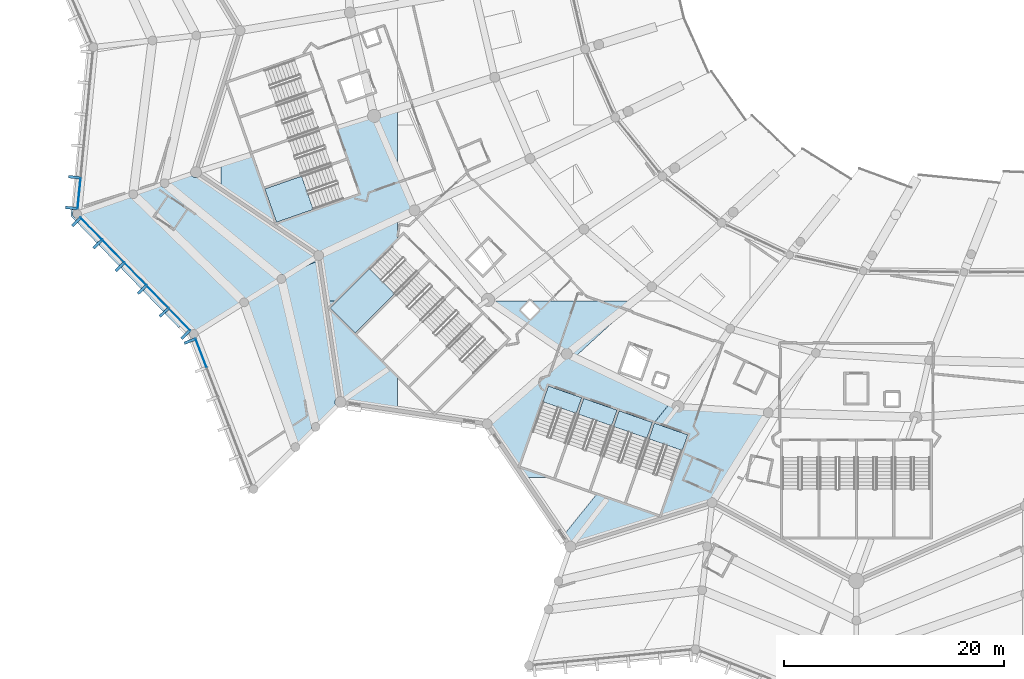
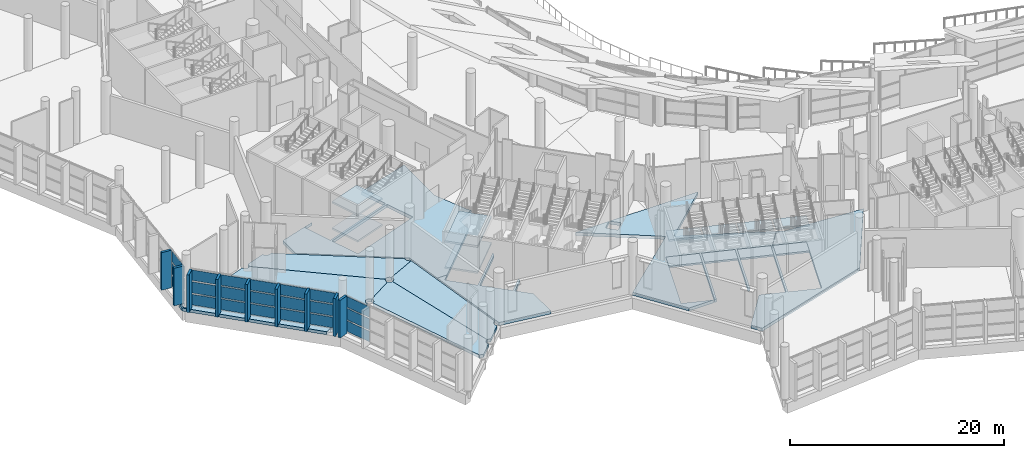
# One storey, part 97 of 249: 30 plates, 20 slabs, 9 elements without a shape of their own.
"""IFC4 building model written with IfcOpenShell, lengths in metres."""

import ifcopenshell
import ifcopenshell.guid

model = None  # the IFC model being written
_history = None  # IfcOwnerHistory: only IFC2X3 demands one
_inside = {}  # id of a spatial element -> (the spatial element, [elements in it])
_under = {}  # id of a project, library or spatial element -> (it, [spatial elements below it])
_declared = {}  # id of a project -> (the project, [libraries it declares])
_typed = {}  # id of a type object -> (the type object, [elements of that type])
_made_of = {}  # id of a material, layer set ... -> (it, [elements and type objects made of it])


def new_model(schema):
    """Start an empty IFC model of exactly this schema.

    Asked for "IFC4X3", IfcOpenShell would pick the latest addendum, in which some entities
    have other attributes; the version numbers below select the first issue.
    IFC2X3 requires an IfcOwnerHistory on every rooted entity: one is made here for all.
    """
    global model, _history
    if schema == "IFC4X3":
        model = ifcopenshell.file(schema_version=(4, 3, 0, 0))
    else:
        model = ifcopenshell.file(schema=schema)
    _inside.clear()
    _under.clear()
    _declared.clear()
    _typed.clear()
    _made_of.clear()
    _history = None
    if model.schema == "IFC2X3":
        org = make("IfcOrganization", Name="unknown")
        user = make(
            "IfcPersonAndOrganization",
            ThePerson=make("IfcPerson", FamilyName="unknown"),
            TheOrganization=org,
        )
        app = make(
            "IfcApplication",
            ApplicationDeveloper=org,
            Version="unknown",
            ApplicationFullName="unknown",
            ApplicationIdentifier="unknown",
        )
        _history = make(
            "IfcOwnerHistory",
            OwningUser=user,
            OwningApplication=app,
            ChangeAction="ADDED",
            CreationDate=0,
        )
    return model


def make(cls, **values):
    """One entity of the class cls with the attributes given. An attribute that is None is left unset."""
    return model.create_entity(
        cls, **{name: value for name, value in values.items() if value is not None}
    )


def rooted(cls, **values):
    """An entity with a GlobalId (a new one), such as an element, a storey or a relation."""
    return make(cls, GlobalId=ifcopenshell.guid.new(), OwnerHistory=_history, **values)


def si_unit(unit_type, name, prefix=None):
    """IfcSIUnit, for example si_unit("LENGTHUNIT", "METRE", prefix="MILLI")."""
    return make("IfcSIUnit", UnitType=unit_type, Prefix=prefix, Name=name)


def assignment(units):
    """IfcUnitAssignment: the units of a project."""
    return None if units is None else make("IfcUnitAssignment", Units=units)


def point(xyz):
    """IfcCartesianPoint."""
    return None if xyz is None else make("IfcCartesianPoint", Coordinates=xyz)


def direction(xyz):
    """IfcDirection."""
    return None if xyz is None else make("IfcDirection", DirectionRatios=xyz)


def frame(location, z_axis=None, x_axis=None):
    """IfcAxis2Placement3D, a coordinate frame: its origin and axes. An axis left out is left unset."""
    return make(
        "IfcAxis2Placement3D",
        Location=point(location),
        Axis=direction(z_axis),
        RefDirection=direction(x_axis),
    )


def frame_2d(location, x_axis=None):
    """IfcAxis2Placement2D, a coordinate frame in the plane: its origin and x axis."""
    return make(
        "IfcAxis2Placement2D", Location=point(location), RefDirection=direction(x_axis)
    )


def origin():
    """The frame at (0, 0, 0) with its axes left unset."""
    return frame((0.0, 0.0, 0.0))


def origin_2d():
    """The frame at (0, 0) in the plane with its x axis left unset."""
    return frame_2d((0.0, 0.0))


def place(relative_to, where):
    """IfcLocalPlacement: puts the frame where relative to a parent placement (None: the world)."""
    return make(
        "IfcLocalPlacement", PlacementRelTo=relative_to, RelativePlacement=where
    )


def context(
    kind, dimensions, precision=None, world=None, true_north=None, identifier=None
):
    """IfcGeometricRepresentationContext, for example the 3D "Model" context."""
    return make(
        "IfcGeometricRepresentationContext",
        ContextIdentifier=identifier,
        ContextType=kind,
        CoordinateSpaceDimension=dimensions,
        Precision=precision,
        WorldCoordinateSystem=world,
        TrueNorth=true_north,
    )


def subcontext(parent, identifier, kind, view, scale=None):
    """IfcGeometricRepresentationSubContext, for example "Body" below "Model"."""
    return make(
        "IfcGeometricRepresentationSubContext",
        ContextIdentifier=identifier,
        ContextType=kind,
        ParentContext=parent,
        TargetScale=scale,
        TargetView=view,
    )


def project(units=None, contexts=None):
    """IfcProject with its units and contexts."""
    return rooted(
        "IfcProject",
        Name="project",
        RepresentationContexts=contexts,
        UnitsInContext=assignment(units),
    )


def spatial(cls, under=None, at=None, **own):
    """A site, building, storey or space (cls), placed at a placement, below another one or the project."""
    s = rooted(cls, ObjectPlacement=at, **own)
    if under is not None:
        _under.setdefault(under.id(), (under, []))[1].append(s)
    return s


def polyline(points):
    """IfcPolyline through the points."""
    return make("IfcPolyline", Points=[point(p) for p in points])


def profile(cls, at=None, kind="AREA", **sizes):
    """A parametric profile (cls). Its sizes go by their IFC names, for example OverallWidth=200.0."""
    return make(cls, ProfileType=kind, Position=at, **sizes)


def rectangle(**sizes):
    """IfcRectangleProfileDef."""
    return profile("IfcRectangleProfileDef", **sizes)


def outline(outer, holes=None, kind="AREA"):
    """IfcArbitraryClosedProfileDef: a profile drawn as a closed curve; with holes, ...WithVoids."""
    if holes is None:
        return make("IfcArbitraryClosedProfileDef", ProfileType=kind, OuterCurve=outer)
    return make(
        "IfcArbitraryProfileDefWithVoids",
        ProfileType=kind,
        OuterCurve=outer,
        InnerCurves=holes,
    )


def extrude(swept, where, along, depth):
    """IfcExtrudedAreaSolid: the profile swept, set in the frame where, extruded along a direction by depth."""
    return make(
        "IfcExtrudedAreaSolid",
        SweptArea=swept,
        Position=where,
        ExtrudedDirection=direction(along),
        Depth=depth,
    )


def shape(context_of_items, identifier, shape_type, items):
    """IfcShapeRepresentation: the items that make up one representation, for example the "Body"."""
    return make(
        "IfcShapeRepresentation",
        ContextOfItems=context_of_items,
        RepresentationIdentifier=identifier,
        RepresentationType=shape_type,
        Items=items,
    )


def material(Name=None, Category=None):
    """IfcMaterial."""
    return make("IfcMaterial", Name=Name, Category=Category)


def layer(
    of_material, thickness, ventilated=None, Name=None, Category=None, Priority=None
):
    """IfcMaterialLayer: one layer of a wall or slab, of a material (None: an air gap)."""
    return make(
        "IfcMaterialLayer",
        Material=of_material,
        LayerThickness=thickness,
        IsVentilated=ventilated,
        Name=Name,
        Category=Category,
        Priority=Priority,
    )


def layer_set(layers, Name=None):
    """IfcMaterialLayerSet."""
    return make("IfcMaterialLayerSet", MaterialLayers=layers, LayerSetName=Name)


def made_of(thing, what):
    """Note that an element or type object is made of a material, layer set ...; save() writes the relation."""
    if what is not None:
        _made_of.setdefault(what.id(), (what, []))[1].append(thing)
    return thing


def type_object(cls, material=None, **own):
    """A type object (cls), such as IfcWallType, which elements share."""
    return made_of(rooted(cls, **own), material)


def element(
    cls,
    number,
    at=None,
    inside=None,
    cuts=None,
    type_object=None,
    material=None,
    context=None,
    identifier="Body",
    shape_type=None,
    held_by="IfcProductDefinitionShape",
    body=None,
    shapes=None,
    **own,
):
    """One element of the class cls, such as IfcWall. Its Tag is "e" and its number.

    at: its placement. inside: the storey or other place that contains it. cuts: it is an
    opening in that element (IfcRelVoidsElement). A single representation is given by context,
    identifier, shape_type and body (its items); several are given by shapes. held_by: the class
    of the entity that holds the representations. save() writes the other relations.
    """
    e = rooted(cls, Tag="e%d" % number, ObjectPlacement=at, **own)
    if body is not None:
        shapes = [shape(context, identifier, shape_type, body)]
    if shapes is not None:
        e.Representation = make(held_by, Representations=shapes)
    if inside is not None:
        _inside.setdefault(inside.id(), (inside, []))[1].append(e)
    if cuts is not None:
        rooted(
            "IfcRelVoidsElement", RelatingBuildingElement=cuts, RelatedOpeningElement=e
        )
    if type_object is not None:
        _typed.setdefault(type_object.id(), (type_object, []))[1].append(e)
    return made_of(e, material)


def aggregate(whole, parts):
    """IfcRelAggregates: a whole, such as a stair, and the parts it consists of."""
    return rooted("IfcRelAggregates", RelatingObject=whole, RelatedObjects=parts)


def save(model, path):
    """Write the relations noted so far, then the file.

    IfcRelAggregates (storeys below a building ...), IfcRelContainedInSpatialStructure (elements
    in a storey), IfcRelDefinesByType, IfcRelAssociatesMaterial and IfcRelDeclares: one each for
    every whole, place, type object, material and project.
    """
    for whole, parts in _under.values():
        aggregate(whole, parts)
    for where, things in _inside.values():
        rooted(
            "IfcRelContainedInSpatialStructure",
            RelatedElements=things,
            RelatingStructure=where,
        )
    for kind, things in _typed.values():
        rooted("IfcRelDefinesByType", RelatedObjects=things, RelatingType=kind)
    for what, things in _made_of.values():
        rooted("IfcRelAssociatesMaterial", RelatedObjects=things, RelatingMaterial=what)
    for by, libraries in _declared.values():
        rooted("IfcRelDeclares", RelatingContext=by, RelatedDefinitions=libraries)
    model.write(path)


model = new_model("IFC4")

# Units and contexts
model_context = context("Model", 3, precision=1e-05, world=origin(), true_north=direction((0.0, 1.0)))
body_context = subcontext(model_context, "Body", "Model", "MODEL_VIEW")
ifc_project = project(units=[si_unit("LENGTHUNIT", "METRE"), si_unit("AREAUNIT", "SQUARE_METRE"), si_unit("VOLUMEUNIT", "CUBIC_METRE"), si_unit("PLANEANGLEUNIT", "RADIAN"), si_unit("MASSUNIT", "GRAM", prefix="KILO")], contexts=[model_context])

# Site, building, storey
site_placement = place(None, origin())
site = spatial("IfcSite", under=ifc_project, at=site_placement, CompositionType="ELEMENT")
building_placement = place(site_placement, origin())
building = spatial("IfcBuilding", under=site, at=building_placement, Name="Meseta Stadium", CompositionType="ELEMENT")
storey_placement = place(building_placement, frame((0.0, 0.0, 12.0)))
storey = spatial("IfcBuildingStorey", under=building, at=storey_placement, Name="L02", CompositionType="ELEMENT", Elevation=12.0)

# Slabs
ifc_material_1 = material(Name="Concrete C40/50", Category="concrete")
ifc_layer_1 = layer(ifc_material_1, 0.35009765625)
ifc_layer_set_1 = layer_set([ifc_layer_1], Name="Floor slab 350")
slab_type_1 = type_object("IfcSlabType", Name="Floor slab 350", PredefinedType="FLOOR", material=ifc_layer_set_1)
slab_1_placement = place(storey_placement, frame((0.0, 0.0, -0.35009765625)))
element("IfcSlab", 1, at=slab_1_placement, inside=storey, type_object=slab_type_1, Name="Floor slab L02 sector 35 panel 04", PredefinedType="FLOOR", context=body_context, shape_type="SweptSolid", body=[
    extrude(outline(polyline([(-80.0, -62.44580078125), (-85.63037109375, -64.211181640625), (-84.647705078125, -67.01953125), (-92.104248046875, -69.62890625), (-93.1611328125, -66.6083984375), (-92.1708984375, -66.26171875), (-96.0, -67.46240234375), (-96.0, -69.85205078125), (-87.15087890625, -75.856689453125), (-86.53564453125, -80.0), (-85.475341796875, -80.0), (-80.0, -74.524658203125), (-80.0, -72.84228515625), (-78.246337890625, -71.998779296875), (-78.4453125, -71.756103515625), (-80.0, -68.13232421875), (-80.0, -62.44580078125)]), holes=[polyline([(-92.0380859375, -69.8173828125), (-84.58154296875, -67.208251953125), (-83.524658203125, -70.228759765625), (-90.981201171875, -72.837890625), (-92.0380859375, -69.8173828125)])]), origin(), (0.0, 0.0, 1.0), 0.35009765625),
])
slab_2_placement = place(storey_placement, frame((0.0, 0.0, -0.35009765625)))
element("IfcSlab", 2, at=slab_2_placement, inside=storey, type_object=slab_type_1, Name="Floor slab L02 sector 35 panel 05", PredefinedType="FLOOR", context=body_context, shape_type="SweptSolid", body=[
    extrude(outline(polyline([(-83.688720703125, -83.02197265625), (-80.0, -79.3330078125), (-80.0, -79.05029296875), (-83.830078125, -82.880615234375), (-86.093017578125, -80.61767578125), (-85.475341796875, -80.0), (-86.53564453125, -80.0), (-85.173583984375, -89.173583984375), (-80.0, -89.94189453125), (-80.0, -86.710693359375), (-81.28466796875, -85.426025390625), (-80.0, -84.141357421875), (-80.0, -83.858642578125), (-81.426025390625, -85.28466796875), (-83.688720703125, -83.02197265625)])), origin(), (0.0, 0.0, 1.0), 0.35009765625),
])
slab_3_placement = place(storey_placement, frame((0.0, 0.0, -0.35009765625)))
element("IfcSlab", 3, at=slab_3_placement, inside=storey, type_object=slab_type_1, Name="Floor slab L02 sector 35 panel 15", PredefinedType="FLOOR", context=body_context, shape_type="SweptSolid", body=[
    extrude(outline(polyline([(-67.114501953125, -80.802001953125), (-67.963134765625, -81.650390625), (-68.811767578125, -80.802001953125), (-68.009765625, -80.0), (-71.61328125, -80.0), (-64.6220703125, -84.79248046875), (-71.856689453125, -91.15087890625), (-68.56640625, -96.0), (-65.9267578125, -96.0), (-68.837890625, -94.981201171875), (-66.294921875, -87.71337890625), (-63.2744140625, -88.770263671875), (-65.80419921875, -96.0), (-65.59228515625, -96.0), (-63.085693359375, -88.836181640625), (-60.065185546875, -89.893310546875), (-62.201904296875, -96.0), (-61.990234375, -96.0), (-59.87646484375, -89.959228515625), (-56.85595703125, -91.01611328125), (-56.9921875, -91.40576171875), (-55.242919921875, -89.238037109375), (-63.932373046875, -85.119384765625), (-58.33984375, -80.0), (-67.91650390625, -80.0), (-67.114501953125, -80.802001953125)])), origin(), (0.0, 0.0, 1.0), 0.35009765625),
])
slab_4_placement = place(storey_placement, frame((0.0, 0.0, -0.35009765625)))
element("IfcSlab", 4, at=slab_4_placement, inside=storey, type_object=slab_type_1, Name="Floor slab L02 sector 42 panel 01", PredefinedType="FLOOR", context=body_context, shape_type="SweptSolid", body=[
    extrude(outline(polyline([(-59.399169921875, -98.2841796875), (-61.8310546875, -97.43310546875), (-64.961669921875, -101.312255859375), (-64.297607421875, -102.291015625), (-51.44140625, -98.29443359375), (-46.333251953125, -90.126220703125), (-54.523193359375, -89.579345703125), (-55.224365234375, -89.246826171875), (-57.011962890625, -91.4619140625), (-59.399169921875, -98.2841796875)]), holes=[polyline([(-56.667236328125, -91.082275390625), (-53.646728515625, -92.13916015625), (-56.18994140625, -99.406982421875), (-59.21044921875, -98.35009765625), (-56.667236328125, -91.082275390625)])]), origin(), (0.0, 0.0, 1.0), 0.35009765625),
])
slab_5_placement = place(storey_placement, frame((0.0, 0.0, -0.35009765625)))
element("IfcSlab", 5, at=slab_5_placement, inside=storey, type_object=slab_type_1, Name="Ring floor slab L02 5 part 2 panel 04", PredefinedType="FLOOR", context=body_context, shape_type="SweptSolid", body=[
    extrude(outline(polyline([(-109.4765625, -71.970703125), (-109.436279296875, -71.873291015625), (-109.372314453125, -71.789794921875), (-109.28857421875, -71.7255859375), (-109.19140625, -71.685302734375), (-109.0869140625, -71.671630859375), (-109.048095703125, -71.6767578125), (-109.03564453125, -71.54931640625), (-109.601318359375, -71.726806640625), (-109.6533203125, -72.273193359375), (-99.877197265625, -82.401611328125), (-99.322998046875, -82.135009765625), (-98.77734375, -82.697021484375), (-98.698486328125, -82.63671875), (-98.601318359375, -82.59619140625), (-98.496826171875, -82.58251953125), (-98.392578125, -82.59619140625), (-98.295166015625, -82.63671875), (-98.211669921875, -82.70068359375), (-98.15673828125, -82.772216796875), (-94.264892578125, -80.32666015625), (-94.27392578125, -80.314697265625), (-94.314208984375, -80.21728515625), (-94.327880859375, -80.113037109375), (-94.314208984375, -80.008544921875), (-94.27392578125, -79.911376953125), (-94.2099609375, -79.82763671875), (-94.126220703125, -79.763671875), (-94.029052734375, -79.723388671875), (-93.924560546875, -79.709716796875), (-93.8203125, -79.723388671875), (-93.722900390625, -79.763671875), (-93.639404296875, -79.82763671875), (-93.58447265625, -79.8994140625), (-90.8779296875, -78.198486328125), (-90.88720703125, -78.1865234375), (-90.927490234375, -78.08935546875), (-90.941162109375, -77.98486328125), (-90.927490234375, -77.880615234375), (-90.88720703125, -77.783203125), (-90.84716796875, -77.731201171875), (-100.8310546875, -69.548095703125), (-100.855224609375, -69.579833984375), (-100.938720703125, -69.643798828125), (-101.0361328125, -69.68408203125), (-101.140380859375, -69.697998046875), (-101.2451171875, -69.68408203125), (-101.34228515625, -69.643798828125), (-101.42578125, -69.579833984375), (-101.489990234375, -69.49609375), (-101.5185546875, -69.4267578125), (-103.61181640625, -70.1591796875), (-103.60009765625, -70.18701171875), (-103.58642578125, -70.29150390625), (-103.60009765625, -70.39599609375), (-103.640380859375, -70.493408203125), (-103.70458984375, -70.576904296875), (-103.7880859375, -70.64111328125), (-103.885498046875, -70.681396484375), (-103.989990234375, -70.695068359375), (-104.094482421875, -70.681396484375), (-104.191650390625, -70.64111328125), (-104.275146484375, -70.576904296875), (-104.33935546875, -70.493408203125), (-104.3681640625, -70.423828125), (-108.708740234375, -71.94287109375), (-108.697265625, -71.970703125), (-108.68359375, -72.0751953125), (-108.697265625, -72.179443359375), (-108.737548828125, -72.27685546875), (-108.801513671875, -72.3603515625), (-108.88525390625, -72.424560546875), (-108.982421875, -72.46484375), (-109.0869140625, -72.478515625), (-109.19140625, -72.46484375), (-109.28857421875, -72.424560546875), (-109.372314453125, -72.3603515625), (-109.436279296875, -72.27685546875), (-109.4765625, -72.179443359375), (-109.490478515625, -72.0751953125), (-109.4765625, -71.970703125)])), origin(), (0.0, 0.0, 1.0), 0.35009765625),
])
slab_6_placement = place(storey_placement, frame((0.0, 0.0, -0.35009765625)))
element("IfcSlab", 6, at=slab_6_placement, inside=storey, type_object=slab_type_1, Name="Ring floor slab L02 5 part 2 panel 06", PredefinedType="FLOOR", context=body_context, shape_type="SweptSolid", body=[
    extrude(outline(polyline([(-98.421630859375, -68.78466796875), (-98.543212890625, -68.734130859375), (-98.647705078125, -68.654052734375), (-98.727783203125, -68.549560546875), (-98.763916015625, -68.462890625), (-100.762451171875, -69.162109375), (-100.750732421875, -69.190185546875), (-100.737060546875, -69.29443359375), (-100.750732421875, -69.39892578125), (-100.791015625, -69.49609375), (-100.8310546875, -69.548095703125), (-90.84716796875, -77.731201171875), (-90.822998046875, -77.69970703125), (-90.739501953125, -77.635498046875), (-90.64208984375, -77.59521484375), (-90.53759765625, -77.581298828125), (-90.433349609375, -77.59521484375), (-90.3359375, -77.635498046875), (-90.25244140625, -77.69970703125), (-90.21142578125, -77.753173828125), (-87.2333984375, -76.32080078125), (-87.23681640625, -76.29931640625), (-87.268310546875, -76.295166015625), (-87.377685546875, -76.249755859375), (-87.4716796875, -76.177734375), (-87.5439453125, -76.083740234375), (-87.589111328125, -75.97412109375), (-87.604736328125, -75.856689453125), (-87.58935546875, -75.740478515625), (-97.980712890625, -68.689453125), (-98.0390625, -68.734130859375), (-98.16064453125, -68.78466796875), (-98.291015625, -68.8017578125), (-98.421630859375, -68.78466796875)])), origin(), (0.0, 0.0, 1.0), 0.35009765625),
])
slab_7_placement = place(storey_placement, frame((0.0, 0.0, -0.35009765625)))
element("IfcSlab", 7, at=slab_7_placement, inside=storey, type_object=slab_type_1, Name="Ring floor slab L02 5 part 2 panel 07", PredefinedType="FLOOR", context=body_context, shape_type="SweptSolid", body=[
    extrude(outline(polyline([(-89.052978515625, -92.905517578125), (-89.003173828125, -92.94384765625), (-87.7373046875, -91.67822265625), (-87.77587890625, -91.628173828125), (-87.816162109375, -91.53076171875), (-87.829833984375, -91.426513671875), (-87.816162109375, -91.322021484375), (-87.77587890625, -91.224609375), (-87.711669921875, -91.14111328125), (-87.628173828125, -91.076904296875), (-87.53076171875, -91.03662109375), (-87.51708984375, -91.034912109375), (-90.447021484375, -78.37646484375), (-90.53759765625, -78.38818359375), (-90.64208984375, -78.37451171875), (-90.739501953125, -78.334228515625), (-90.822998046875, -78.270263671875), (-90.8779296875, -78.198486328125), (-93.58447265625, -79.8994140625), (-93.5751953125, -79.911376953125), (-93.534912109375, -80.008544921875), (-93.52099609375, -80.113037109375), (-93.534912109375, -80.21728515625), (-93.5751953125, -80.314697265625), (-93.639404296875, -80.398193359375), (-93.722900390625, -80.46240234375), (-93.79052734375, -80.490478515625), (-89.388916015625, -92.87744140625), (-89.359375, -92.864990234375), (-89.2548828125, -92.851318359375), (-89.150390625, -92.864990234375), (-89.052978515625, -92.905517578125)])), origin(), (0.0, 0.0, 1.0), 0.35009765625),
])
slab_8_placement = place(storey_placement, frame((0.0, 0.0, -0.35009765625)))
element("IfcSlab", 8, at=slab_8_placement, inside=storey, type_object=slab_type_1, Name="Ring floor slab L02 5 part 2 panel 08", PredefinedType="FLOOR", context=body_context, shape_type="SweptSolid", body=[
    extrude(outline(polyline([(-87.224609375, -91.076904296875), (-87.174560546875, -91.115478515625), (-85.555908203125, -89.496826171875), (-85.610595703125, -89.42578125), (-85.660888671875, -89.30419921875), (-85.677978515625, -89.173583984375), (-85.660888671875, -89.043212890625), (-85.610595703125, -88.921630859375), (-85.5302734375, -88.817138671875), (-85.42578125, -88.737060546875), (-85.392333984375, -88.722900390625), (-87.2333984375, -76.32080078125), (-90.21142578125, -77.753173828125), (-90.188232421875, -77.783203125), (-90.14794921875, -77.880615234375), (-90.13427734375, -77.98486328125), (-90.14794921875, -78.08935546875), (-90.188232421875, -78.1865234375), (-90.25244140625, -78.270263671875), (-90.3359375, -78.334228515625), (-90.433349609375, -78.37451171875), (-90.447021484375, -78.37646484375), (-87.51708984375, -91.034912109375), (-87.426513671875, -91.02294921875), (-87.322021484375, -91.03662109375), (-87.224609375, -91.076904296875)])), origin(), (0.0, 0.0, 1.0), 0.35009765625),
])

# Curtain wall, plates
ifc_material_2 = material(Name="Aluminium", Category="aluminium")
ifc_layer_2 = layer(ifc_material_2, 0.199951171875)
ifc_layer_set_2 = layer_set([ifc_layer_2], Name="Ring shopfront curtain wall")
curtain_wall_type = type_object("IfcCurtainWallType", Name="Ring shopfront curtain wall", PredefinedType="NOTDEFINED", material=ifc_layer_set_2)
curtain_wall_1_placement = place(storey_placement, origin())
curtain_wall_1 = element("IfcCurtainWall", 9, at=curtain_wall_1_placement, inside=storey, type_object=curtain_wall_type, Name="Ring glazing L02 F37", PredefinedType="NOTDEFINED")
ifc_material_3 = material(Name="Glass", Category="glass")
ifc_layer_3 = layer(ifc_material_3, 0.035888671875)
ifc_layer_set_3 = layer_set([ifc_layer_3], Name="Ring CW glass panel 36")
plate_type_1 = type_object("IfcPlateType", Name="Ring CW glass panel 36", PredefinedType="CURTAIN_PANEL", material=ifc_layer_set_3)
plate_1_placement = place(storey_placement, frame((-108.90673828125, -70.228271484375, 0.14990234375), z_axis=(0.0, 0.0, 1.0), x_axis=(-0.097124618973, -0.995272228282, 0.0)))
plate_1 = element("IfcPlate", 10, at=plate_1_placement, type_object=plate_type_1, Name="CWR1 panel 5.1", PredefinedType="CURTAIN_PANEL", context=body_context, shape_type="SweptSolid", body=[
    extrude(rectangle(XDim=2.791015625, YDim=0.035888671875, at=origin_2d()), origin(), (0.0, 0.0, 1.0), 1.208251953125),
])
plate_2_placement = place(storey_placement, frame((-108.90673828125, -70.228271484375, 1.50830078125), z_axis=(0.0, 0.0, 1.0), x_axis=(-0.097124618973, -0.995272228282, 0.0)))
plate_2 = element("IfcPlate", 11, at=plate_2_placement, type_object=plate_type_1, Name="CWR1 panel 5.2", PredefinedType="CURTAIN_PANEL", context=body_context, shape_type="SweptSolid", body=[
    extrude(rectangle(XDim=2.791015625, YDim=0.035888671875, at=origin_2d()), origin(), (0.0, 0.0, 1.0), 1.283447265625),
])
plate_3_placement = place(storey_placement, frame((-108.90673828125, -70.228271484375, 2.94189453125), z_axis=(0.0, 0.0, 1.0), x_axis=(-0.097124618973, -0.995272228282, 0.0)))
plate_3 = element("IfcPlate", 12, at=plate_3_placement, type_object=plate_type_1, Name="CWR1 panel 5.3", PredefinedType="CURTAIN_PANEL", context=body_context, shape_type="SweptSolid", body=[
    extrude(rectangle(XDim=2.791015625, YDim=0.035888671875, at=origin_2d()), origin(), (0.0, 0.0, 1.0), 1.208251953125),
])
aggregate(curtain_wall_1, [plate_1, plate_2, plate_3])

curtain_wall_2_placement = place(storey_placement, origin())
curtain_wall_2 = element("IfcCurtainWall", 13, at=curtain_wall_2_placement, inside=storey, type_object=curtain_wall_type, Name="Ring glazing L02 F38", PredefinedType="NOTDEFINED")
plate_4_placement = place(storey_placement, frame((-107.794677734375, -73.406494140625, 0.14990234375), z_axis=(0.0, 0.0, 1.0), x_axis=(0.6964727488, -0.717583242683, 0.0)))
plate_4 = element("IfcPlate", 14, at=plate_4_placement, type_object=plate_type_1, Name="CWR1 panel 1.1", PredefinedType="CURTAIN_PANEL", context=body_context, shape_type="SweptSolid", body=[
    extrude(rectangle(XDim=2.791015625, YDim=0.035888671875, at=origin_2d()), origin(), (0.0, 0.0, 1.0), 1.208251953125),
])
plate_5_placement = place(storey_placement, frame((-107.794677734375, -73.406494140625, 1.50830078125), z_axis=(0.0, 0.0, 1.0), x_axis=(0.6964727488, -0.717583242683, 0.0)))
plate_5 = element("IfcPlate", 15, at=plate_5_placement, type_object=plate_type_1, Name="CWR1 panel 1.2", PredefinedType="CURTAIN_PANEL", context=body_context, shape_type="SweptSolid", body=[
    extrude(rectangle(XDim=2.791015625, YDim=0.035888671875, at=origin_2d()), origin(), (0.0, 0.0, 1.0), 1.283447265625),
])
plate_6_placement = place(storey_placement, frame((-107.794677734375, -73.406494140625, 2.94189453125), z_axis=(0.0, 0.0, 1.0), x_axis=(0.6964727488, -0.717583242683, 0.0)))
plate_6 = element("IfcPlate", 16, at=plate_6_placement, type_object=plate_type_1, Name="CWR1 panel 1.3", PredefinedType="CURTAIN_PANEL", context=body_context, shape_type="SweptSolid", body=[
    extrude(rectangle(XDim=2.791015625, YDim=0.035888671875, at=origin_2d()), origin(), (0.0, 0.0, 1.0), 1.208251953125),
])
plate_7_placement = place(storey_placement, frame((-105.79833984375, -75.463134765625, 0.14990234375), z_axis=(0.0, 0.0, 1.0), x_axis=(0.6964727488, -0.717583242683, 0.0)))
plate_7 = element("IfcPlate", 17, at=plate_7_placement, type_object=plate_type_1, Name="CWR1 panel 2.1", PredefinedType="CURTAIN_PANEL", context=body_context, shape_type="SweptSolid", body=[
    extrude(rectangle(XDim=2.821044921875, YDim=0.035888671875, at=origin_2d()), origin(), (0.0, 0.0, 1.0), 1.208251953125),
])
plate_8_placement = place(storey_placement, frame((-105.79833984375, -75.463134765625, 1.50830078125), z_axis=(0.0, 0.0, 1.0), x_axis=(0.6964727488, -0.717583242683, 0.0)))
plate_8 = element("IfcPlate", 18, at=plate_8_placement, type_object=plate_type_1, Name="CWR1 panel 2.2", PredefinedType="CURTAIN_PANEL", context=body_context, shape_type="SweptSolid", body=[
    extrude(rectangle(XDim=2.821044921875, YDim=0.035888671875, at=origin_2d()), origin(), (0.0, 0.0, 1.0), 1.283447265625),
])
plate_9_placement = place(storey_placement, frame((-105.79833984375, -75.463134765625, 2.94189453125), z_axis=(0.0, 0.0, 1.0), x_axis=(0.6964727488, -0.717583242683, 0.0)))
plate_9 = element("IfcPlate", 19, at=plate_9_placement, type_object=plate_type_1, Name="CWR1 panel 2.3", PredefinedType="CURTAIN_PANEL", context=body_context, shape_type="SweptSolid", body=[
    extrude(rectangle(XDim=2.821044921875, YDim=0.035888671875, at=origin_2d()), origin(), (0.0, 0.0, 1.0), 1.208251953125),
])
plate_10_placement = place(storey_placement, frame((-103.7919921875, -77.530517578125, 0.14990234375), z_axis=(0.0, 0.0, 1.0), x_axis=(0.6964727488, -0.717583242683, 0.0)))
plate_10 = element("IfcPlate", 20, at=plate_10_placement, type_object=plate_type_1, Name="CWR1 panel 3.1", PredefinedType="CURTAIN_PANEL", context=body_context, shape_type="SweptSolid", body=[
    extrude(rectangle(XDim=2.821044921875, YDim=0.035888671875, at=origin_2d()), origin(), (0.0, 0.0, 1.0), 1.208251953125),
])
plate_11_placement = place(storey_placement, frame((-103.7919921875, -77.530517578125, 1.50830078125), z_axis=(0.0, 0.0, 1.0), x_axis=(0.6964727488, -0.717583242683, 0.0)))
plate_11 = element("IfcPlate", 21, at=plate_11_placement, type_object=plate_type_1, Name="CWR1 panel 3.2", PredefinedType="CURTAIN_PANEL", context=body_context, shape_type="SweptSolid", body=[
    extrude(rectangle(XDim=2.821044921875, YDim=0.035888671875, at=origin_2d()), origin(), (0.0, 0.0, 1.0), 1.283447265625),
])
plate_12_placement = place(storey_placement, frame((-103.7919921875, -77.530517578125, 2.94189453125), z_axis=(0.0, 0.0, 1.0), x_axis=(0.6964727488, -0.717583242683, 0.0)))
plate_12 = element("IfcPlate", 22, at=plate_12_placement, type_object=plate_type_1, Name="CWR1 panel 3.3", PredefinedType="CURTAIN_PANEL", context=body_context, shape_type="SweptSolid", body=[
    extrude(rectangle(XDim=2.821044921875, YDim=0.035888671875, at=origin_2d()), origin(), (0.0, 0.0, 1.0), 1.208251953125),
])
plate_13_placement = place(storey_placement, frame((-101.785400390625, -79.597900390625, 0.14990234375), z_axis=(0.0, 0.0, 1.0), x_axis=(0.6964727488, -0.717583242683, 0.0)))
plate_13 = element("IfcPlate", 23, at=plate_13_placement, type_object=plate_type_1, Name="CWR1 panel 4.1", PredefinedType="CURTAIN_PANEL", context=body_context, shape_type="SweptSolid", body=[
    extrude(rectangle(XDim=2.821044921875, YDim=0.035888671875, at=origin_2d()), origin(), (0.0, 0.0, 1.0), 1.208251953125),
])
plate_14_placement = place(storey_placement, frame((-101.785400390625, -79.597900390625, 1.50830078125), z_axis=(0.0, 0.0, 1.0), x_axis=(0.6964727488, -0.717583242683, 0.0)))
plate_14 = element("IfcPlate", 24, at=plate_14_placement, type_object=plate_type_1, Name="CWR1 panel 4.2", PredefinedType="CURTAIN_PANEL", context=body_context, shape_type="SweptSolid", body=[
    extrude(rectangle(XDim=2.821044921875, YDim=0.035888671875, at=origin_2d()), origin(), (0.0, 0.0, 1.0), 1.283447265625),
])
plate_15_placement = place(storey_placement, frame((-101.785400390625, -79.597900390625, 2.94189453125), z_axis=(0.0, 0.0, 1.0), x_axis=(0.6964727488, -0.717583242683, 0.0)))
plate_15 = element("IfcPlate", 25, at=plate_15_placement, type_object=plate_type_1, Name="CWR1 panel 4.3", PredefinedType="CURTAIN_PANEL", context=body_context, shape_type="SweptSolid", body=[
    extrude(rectangle(XDim=2.821044921875, YDim=0.035888671875, at=origin_2d()), origin(), (0.0, 0.0, 1.0), 1.208251953125),
])
plate_16_placement = place(storey_placement, frame((-99.789306640625, -81.654541015625, 0.14990234375), z_axis=(0.0, 0.0, 1.0), x_axis=(0.6964727488, -0.717583242683, 0.0)))
plate_16 = element("IfcPlate", 26, at=plate_16_placement, type_object=plate_type_1, Name="CWR1 panel 5.1", PredefinedType="CURTAIN_PANEL", context=body_context, shape_type="SweptSolid", body=[
    extrude(rectangle(XDim=2.791015625, YDim=0.035888671875, at=origin_2d()), origin(), (0.0, 0.0, 1.0), 1.208251953125),
])
plate_17_placement = place(storey_placement, frame((-99.789306640625, -81.654541015625, 1.50830078125), z_axis=(0.0, 0.0, 1.0), x_axis=(0.6964727488, -0.717583242683, 0.0)))
plate_17 = element("IfcPlate", 27, at=plate_17_placement, type_object=plate_type_1, Name="CWR1 panel 5.2", PredefinedType="CURTAIN_PANEL", context=body_context, shape_type="SweptSolid", body=[
    extrude(rectangle(XDim=2.791015625, YDim=0.035888671875, at=origin_2d()), origin(), (0.0, 0.0, 1.0), 1.283447265625),
])
plate_18_placement = place(storey_placement, frame((-99.789306640625, -81.654541015625, 2.94189453125), z_axis=(0.0, 0.0, 1.0), x_axis=(0.6964727488, -0.717583242683, 0.0)))
plate_18 = element("IfcPlate", 28, at=plate_18_placement, type_object=plate_type_1, Name="CWR1 panel 5.3", PredefinedType="CURTAIN_PANEL", context=body_context, shape_type="SweptSolid", body=[
    extrude(rectangle(XDim=2.791015625, YDim=0.035888671875, at=origin_2d()), origin(), (0.0, 0.0, 1.0), 1.208251953125),
])
aggregate(curtain_wall_2, [plate_4, plate_5, plate_6, plate_7, plate_8, plate_9, plate_10, plate_11, plate_12, plate_13, plate_14, plate_15, plate_16, plate_17, plate_18])

curtain_wall_3_placement = place(storey_placement, origin())
curtain_wall_3 = element("IfcCurtainWall", 29, at=curtain_wall_3_placement, inside=storey, type_object=curtain_wall_type, Name="Ring glazing L02 F39", PredefinedType="NOTDEFINED")
plate_19_placement = place(storey_placement, frame((-97.834228515625, -84.707275390625, 0.14990234375), z_axis=(0.0, 0.0, 1.0), x_axis=(0.359302033734, -0.933221328815, 0.0)))
plate_19 = element("IfcPlate", 30, at=plate_19_placement, type_object=plate_type_1, Name="CWR1 panel 1.1", PredefinedType="CURTAIN_PANEL", context=body_context, shape_type="SweptSolid", body=[
    extrude(rectangle(XDim=2.76904296875, YDim=0.035888671875, at=origin_2d()), origin(), (0.0, 0.0, 1.0), 1.208251953125),
])
plate_20_placement = place(storey_placement, frame((-97.834228515625, -84.707275390625, 1.50830078125), z_axis=(0.0, 0.0, 1.0), x_axis=(0.359302033734, -0.933221328815, 0.0)))
plate_20 = element("IfcPlate", 31, at=plate_20_placement, type_object=plate_type_1, Name="CWR1 panel 1.2", PredefinedType="CURTAIN_PANEL", context=body_context, shape_type="SweptSolid", body=[
    extrude(rectangle(XDim=2.76904296875, YDim=0.035888671875, at=origin_2d()), origin(), (0.0, 0.0, 1.0), 1.283447265625),
])
plate_21_placement = place(storey_placement, frame((-97.834228515625, -84.707275390625, 2.94189453125), z_axis=(0.0, 0.0, 1.0), x_axis=(0.359302033734, -0.933221328815, 0.0)))
plate_21 = element("IfcPlate", 32, at=plate_21_placement, type_object=plate_type_1, Name="CWR1 panel 1.3", PredefinedType="CURTAIN_PANEL", context=body_context, shape_type="SweptSolid", body=[
    extrude(rectangle(XDim=2.76904296875, YDim=0.035888671875, at=origin_2d()), origin(), (0.0, 0.0, 1.0), 1.208251953125),
])
aggregate(curtain_wall_3, [plate_19, plate_20, plate_21])

# Plates
ifc_material_4 = material(Name="Precast concrete C40/50", Category="concrete")
ifc_layer_4 = layer(ifc_material_4, 0.25)
ifc_layer_set_4 = layer_set([ifc_layer_4], Name="Ring brise-soleil fin 250x1000")
plate_type_2 = type_object("IfcPlateType", Name="Ring brise-soleil fin 250x1000", PredefinedType="USERDEFINED", material=ifc_layer_set_4)
for number, where, z_axis, x_axis, name in (
    (33, (-109.365478515625, -68.751220703125, 0.0), (0.0, 0.0, 1.0), (-0.097122584472, -0.995272426819, 0.0), "Brise-soleil fin L02 F37.5"),
    (34, (-109.637939453125, -71.5439453125, 0.0), (0.0, 0.0, 1.0), (-0.097122584472, -0.995272426819, 0.0), "Brise-soleil fin L02 F37.6"),
    (35, (-109.1865234375, -72.833740234375, 0.0), (0.0, 0.0, 1.0), (0.696475344559, -0.717580723279, 0.0), "Brise-soleil fin L02 F38.1"),
    (36, (-107.232421875, -74.847412109375, 0.0), (0.0, 0.0, 1.0), (0.696475344559, -0.717580723279, 0.0), "Brise-soleil fin L02 F38.2"),
    (37, (-105.2255859375, -76.914794921875, 0.0), (0.0, 0.0, 1.0), (0.696475344559, -0.717580723279, 0.0), "Brise-soleil fin L02 F38.3"),
    (38, (-103.21923828125, -78.982177734375, 0.0), (0.0, 0.0, 1.0), (0.696475344559, -0.717580723279, 0.0), "Brise-soleil fin L02 F38.4"),
    (39, (-101.212646484375, -81.049560546875, 0.0), (0.0, 0.0, 1.0), (0.696475344559, -0.717580723279, 0.0), "Brise-soleil fin L02 F38.5"),
    (40, (-99.25830078125, -83.06298828125, 0.0), (0.0, 0.0, 1.0), (0.696475344559, -0.717580723279, 0.0), "Brise-soleil fin L02 F38.6"),
    (41, (-98.88623046875, -83.644775390625, 0.0), (0.0, 0.0, 1.0), (0.359298161815, -0.933222819543, 0.0), "Brise-soleil fin L02 F39.1"),
):
    element("IfcPlate", number, at=place(storey_placement, frame(where, z_axis=z_axis, x_axis=x_axis)), inside=storey, type_object=plate_type_2, Name=name, ObjectType="FIN", PredefinedType="USERDEFINED", context=body_context, shape_type="SweptSolid", body=[
        extrude(rectangle(XDim=0.25, YDim=1.0, at=origin_2d()), origin(), (0.0, 0.0, 1.0), 4.300048828125),
    ])

# Stair, slabs
ifc_material_5 = material(Name="Concrete C40/50", Category="concrete")
stair_type = type_object("IfcStairType", Name="Exit stair 4 flights 150 mm risers", PredefinedType="HALF_TURN_STAIR", material=ifc_material_5)
stair_1_placement = place(storey_placement, origin())
stair_1 = element("IfcStair", 42, at=stair_1_placement, inside=storey, type_object=stair_type, Name="ST80 L02", PredefinedType="HALF_TURN_STAIR")
ifc_material_6 = material(Name="Concrete C40/50", Category="concrete")
ifc_layer_5 = layer(ifc_material_6, 0.199951171875)
ifc_layer_set_5 = layer_set([ifc_layer_5], Name="Stair landing 200")
slab_type_2 = type_object("IfcSlabType", Name="Stair landing 200", PredefinedType="LANDING", material=ifc_layer_set_5)
slab_9_placement = place(storey_placement, frame((0.0, 0.0, 1.300048828125)))
slab_9 = element("IfcSlab", 43, at=slab_9_placement, type_object=slab_type_2, Name="ST80 L02 landing 1", PredefinedType="LANDING", context=body_context, shape_type="SweptSolid", body=[
    extrude(outline(polyline([(-88.706298828125, -68.651611328125), (-92.0380859375, -69.817626953125), (-90.981201171875, -72.837890625), (-87.6494140625, -71.672119140625), (-88.706298828125, -68.651611328125)])), origin(), (0.0, 0.0, 1.0), 0.199951171875),
])
slab_10_placement = place(storey_placement, frame((0.0, 0.0, 4.300048828125)))
slab_10 = element("IfcSlab", 44, at=slab_10_placement, type_object=slab_type_2, Name="ST80 L02 landing 3", PredefinedType="LANDING", context=body_context, shape_type="SweptSolid", body=[
    extrude(outline(polyline([(-88.706298828125, -68.651611328125), (-92.0380859375, -69.817626953125), (-90.981201171875, -72.837890625), (-87.6494140625, -71.672119140625), (-88.706298828125, -68.651611328125)])), origin(), (0.0, 0.0, 1.0), 0.199951171875),
])
aggregate(stair_1, [slab_9, slab_10])

stair_2_placement = place(storey_placement, origin())
stair_2 = element("IfcStair", 45, at=stair_2_placement, inside=storey, type_object=stair_type, Name="ST81 L02", PredefinedType="HALF_TURN_STAIR")
slab_11_placement = place(storey_placement, frame((0.0, 0.0, 1.300048828125)))
slab_11 = element("IfcSlab", 46, at=slab_11_placement, type_object=slab_type_2, Name="ST81 L02 landing 1", PredefinedType="LANDING", context=body_context, shape_type="SweptSolid", body=[
    extrude(outline(polyline([(-82.5361328125, -77.06103515625), (-86.093017578125, -80.61767578125), (-83.830322265625, -82.88037109375), (-80.2734375, -79.32373046875), (-82.5361328125, -77.06103515625)])), origin(), (0.0, 0.0, 1.0), 0.199951171875),
])
slab_12_placement = place(storey_placement, frame((0.0, 0.0, 4.300048828125)))
slab_12 = element("IfcSlab", 47, at=slab_12_placement, type_object=slab_type_2, Name="ST81 L02 landing 3", PredefinedType="LANDING", context=body_context, shape_type="SweptSolid", body=[
    extrude(outline(polyline([(-82.5361328125, -77.06103515625), (-86.093017578125, -80.61767578125), (-83.830322265625, -82.88037109375), (-80.2734375, -79.32373046875), (-82.5361328125, -77.06103515625)])), origin(), (0.0, 0.0, 1.0), 0.199951171875),
])
aggregate(stair_2, [slab_11, slab_12])

stair_3_placement = place(storey_placement, origin())
stair_3 = element("IfcStair", 48, at=stair_3_placement, inside=storey, type_object=stair_type, Name="ST85 L02", PredefinedType="HALF_TURN_STAIR")
slab_13_placement = place(storey_placement, frame((0.0, 0.0, 2.800048828125)))
slab_13 = element("IfcSlab", 49, at=slab_13_placement, type_object=slab_type_2, Name="ST85 L02 landing 2", PredefinedType="LANDING", context=body_context, shape_type="SweptSolid", body=[
    extrude(outline(polyline([(-66.294921875, -87.71337890625), (-66.79345703125, -89.138671875), (-63.773193359375, -90.195556640625), (-63.2744140625, -88.770263671875), (-66.294921875, -87.71337890625)])), origin(), (0.0, 0.0, 1.0), 0.199951171875),
])
slab_14_placement = place(storey_placement, frame((0.0, 0.0, -0.199951171875)))
slab_14 = element("IfcSlab", 50, at=slab_14_placement, type_object=slab_type_2, Name="ST85 L02 landing 4", PredefinedType="LANDING", context=body_context, shape_type="SweptSolid", body=[
    extrude(outline(polyline([(-66.294921875, -87.71337890625), (-66.79345703125, -89.138671875), (-63.773193359375, -90.195556640625), (-63.2744140625, -88.770263671875), (-66.294921875, -87.71337890625)])), origin(), (0.0, 0.0, 1.0), 0.199951171875),
])
aggregate(stair_3, [slab_13, slab_14])

stair_4_placement = place(storey_placement, origin())
stair_4 = element("IfcStair", 51, at=stair_4_placement, inside=storey, type_object=stair_type, Name="ST86 L02", PredefinedType="HALF_TURN_STAIR")
slab_15_placement = place(storey_placement, frame((0.0, 0.0, 2.800048828125)))
slab_15 = element("IfcSlab", 52, at=slab_15_placement, type_object=slab_type_2, Name="ST86 L02 landing 2", PredefinedType="LANDING", context=body_context, shape_type="SweptSolid", body=[
    extrude(outline(polyline([(-63.085693359375, -88.83642578125), (-63.584228515625, -90.26171875), (-60.56396484375, -91.318603515625), (-60.065185546875, -89.893310546875), (-63.085693359375, -88.83642578125)])), origin(), (0.0, 0.0, 1.0), 0.199951171875),
])
slab_16_placement = place(storey_placement, frame((0.0, 0.0, -0.199951171875)))
slab_16 = element("IfcSlab", 53, at=slab_16_placement, type_object=slab_type_2, Name="ST86 L02 landing 4", PredefinedType="LANDING", context=body_context, shape_type="SweptSolid", body=[
    extrude(outline(polyline([(-63.085693359375, -88.83642578125), (-63.584228515625, -90.26171875), (-60.56396484375, -91.318603515625), (-60.065185546875, -89.893310546875), (-63.085693359375, -88.83642578125)])), origin(), (0.0, 0.0, 1.0), 0.199951171875),
])
aggregate(stair_4, [slab_15, slab_16])

stair_5_placement = place(storey_placement, origin())
stair_5 = element("IfcStair", 54, at=stair_5_placement, inside=storey, type_object=stair_type, Name="ST87 L02", PredefinedType="HALF_TURN_STAIR")
slab_17_placement = place(storey_placement, frame((0.0, 0.0, 2.800048828125)))
slab_17 = element("IfcSlab", 55, at=slab_17_placement, type_object=slab_type_2, Name="ST87 L02 landing 2", PredefinedType="LANDING", context=body_context, shape_type="SweptSolid", body=[
    extrude(outline(polyline([(-59.87646484375, -89.959228515625), (-60.375244140625, -91.384521484375), (-57.354736328125, -92.44140625), (-56.85595703125, -91.01611328125), (-59.87646484375, -89.959228515625)])), origin(), (0.0, 0.0, 1.0), 0.199951171875),
])
slab_18_placement = place(storey_placement, frame((0.0, 0.0, -0.199951171875)))
slab_18 = element("IfcSlab", 56, at=slab_18_placement, type_object=slab_type_2, Name="ST87 L02 landing 4", PredefinedType="LANDING", context=body_context, shape_type="SweptSolid", body=[
    extrude(outline(polyline([(-59.87646484375, -89.959228515625), (-60.375244140625, -91.384521484375), (-57.354736328125, -92.44140625), (-56.85595703125, -91.01611328125), (-59.87646484375, -89.959228515625)])), origin(), (0.0, 0.0, 1.0), 0.199951171875),
])
aggregate(stair_5, [slab_17, slab_18])

stair_6_placement = place(storey_placement, origin())
stair_6 = element("IfcStair", 57, at=stair_6_placement, inside=storey, type_object=stair_type, Name="ST88 L02", PredefinedType="HALF_TURN_STAIR")
slab_19_placement = place(storey_placement, frame((0.0, 0.0, 2.800048828125)))
slab_19 = element("IfcSlab", 58, at=slab_19_placement, type_object=slab_type_2, Name="ST88 L02 landing 2", PredefinedType="LANDING", context=body_context, shape_type="SweptSolid", body=[
    extrude(outline(polyline([(-56.667236328125, -91.082275390625), (-57.166015625, -92.507568359375), (-54.1455078125, -93.564453125), (-53.646728515625, -92.13916015625), (-56.667236328125, -91.082275390625)])), origin(), (0.0, 0.0, 1.0), 0.199951171875),
])
slab_20_placement = place(storey_placement, frame((0.0, 0.0, -0.199951171875)))
slab_20 = element("IfcSlab", 59, at=slab_20_placement, type_object=slab_type_2, Name="ST88 L02 landing 4", PredefinedType="LANDING", context=body_context, shape_type="SweptSolid", body=[
    extrude(outline(polyline([(-56.667236328125, -91.082275390625), (-57.166015625, -92.507568359375), (-54.1455078125, -93.564453125), (-53.646728515625, -92.13916015625), (-56.667236328125, -91.082275390625)])), origin(), (0.0, 0.0, 1.0), 0.199951171875),
])
aggregate(stair_6, [slab_19, slab_20])

save(model, "model.ifc")
